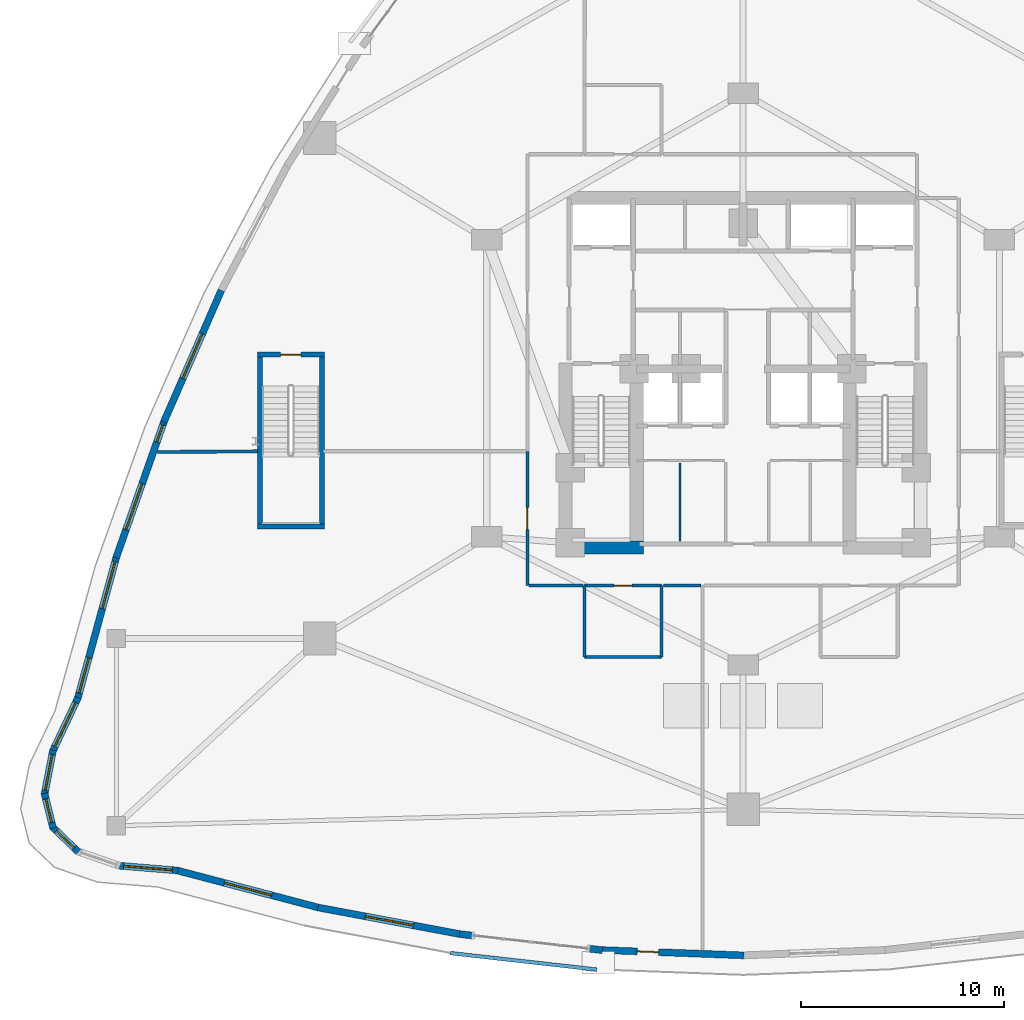
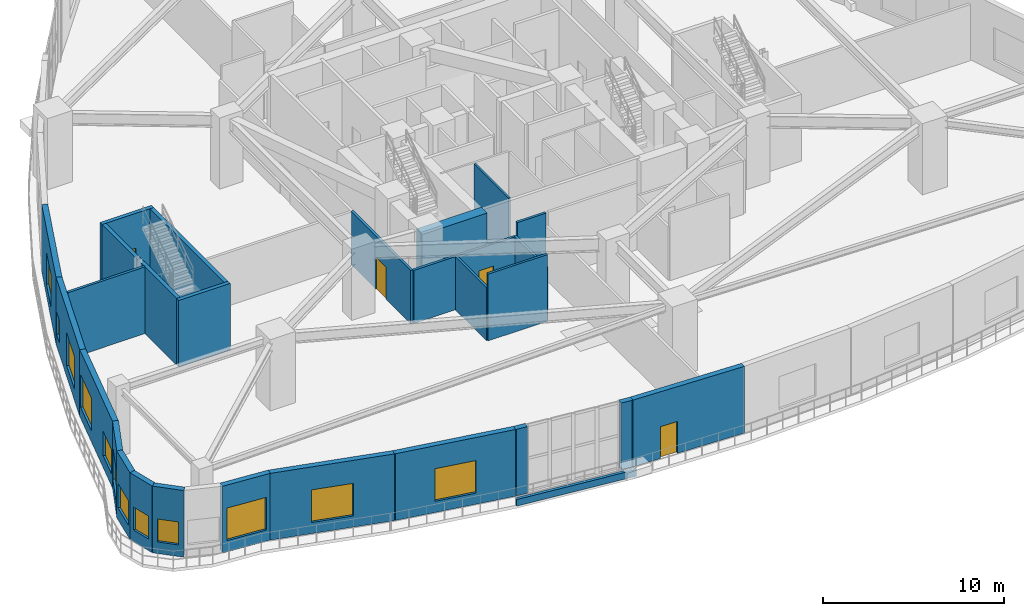
# One storey, part 15 of 23: 28 walls, 12 windows, 4 doors, 16 openings.
"""IFC4 building model written with IfcOpenShell, lengths in metres."""

from ifc_helpers import new_model, si_unit, direction, frame, frame_2d, origin, place, context, subcontext, project, spatial, rectangle, extrude, material, layer, layer_set, type_object, element, fill, save


model = new_model("IFC4")

# Units and contexts
model_context = context("Model", 3, precision=1e-05, world=origin(), true_north=direction((0.0, 1.0)))
body_context = subcontext(model_context, "Body", "Model", "MODEL_VIEW")
ifc_project = project(units=[si_unit("LENGTHUNIT", "METRE"), si_unit("AREAUNIT", "SQUARE_METRE"), si_unit("VOLUMEUNIT", "CUBIC_METRE"), si_unit("PLANEANGLEUNIT", "RADIAN"), si_unit("MASSUNIT", "GRAM", prefix="KILO")], contexts=[model_context])

# Site, building, storey
site_placement = place(None, origin())
site = spatial("IfcSite", under=ifc_project, at=site_placement, CompositionType="ELEMENT")
building_placement = place(site_placement, origin())
building = spatial("IfcBuilding", under=site, at=building_placement, Name="Miruveldt Soraemaru", CompositionType="ELEMENT")
storey_placement = place(building_placement, frame((0.0, 0.0, 9.60009765625)))
storey = spatial("IfcBuildingStorey", under=building, at=storey_placement, Name="L03", CompositionType="ELEMENT", Elevation=9.60009765625)

# Wall, opening, door
ifc_material_1 = material(Name="Concrete C50/60 (50 MPa)", Category="concrete")
ifc_layer_1 = layer(ifc_material_1, 0.419921875, Name="Concrete C50/60 (50 MPa)", Category="concrete")
ifc_layer_set_1 = layer_set([ifc_layer_1], Name="Concrete C50/60 (50 MPa)")
wall_type_1 = type_object("IfcWallType", Name="WALL-CW-420", PredefinedType="SHEAR", material=ifc_layer_set_1)
wall_1_placement = place(storey_placement, frame((20.1298828125, 44.75, 0.0), z_axis=(0.0, 0.0, 1.0), x_axis=(1.0, 0.0, 0.0)))
wall_1 = element("IfcWall", 1, at=wall_1_placement, inside=storey, type_object=wall_type_1, Name="L03 Protected Exit Stair ST-3 Structural Shaft Wall N", PredefinedType="SHEAR", context=body_context, shape_type="SweptSolid", body=[
    extrude(rectangle(XDim=3.2900390625, YDim=0.239990234375, at=frame_2d((1.64501953125, 0.0))), origin(), (0.0, 0.0, 1.0), 4.5),
])
opening_1_placement = place(wall_1_placement, frame((1.14501953125, 0.0, 0.0)))
opening_1 = element("IfcOpeningElement", 2, at=opening_1_placement, cuts=wall_1, Name="Opening FD1", PredefinedType="OPENING", context=body_context, shape_type="SweptSolid", body=[
    extrude(rectangle(XDim=1.0, YDim=2.14990234375, at=frame_2d((0.5, 1.074951171875))), frame((0.0, 0.1298828125, 0.0), z_axis=(0.0, -1.0, 0.0), x_axis=(1.0, 0.0, 0.0)), (0.0, 0.0, 1.0), 0.260009765625),
])
ifc_material_2 = material(Name="Anodised aluminium EN AW-6063 T6", Category="aluminium")
door_type_1 = type_object("IfcDoorType", Name="DOOR-FD1-1000", OperationType="NOTDEFINED", PredefinedType="DOOR", material=ifc_material_2)
door_1_placement = place(opening_1_placement, frame((1.0, 0.0, 0.0), z_axis=(0.0, 0.0, 1.0), x_axis=(-1.0, 0.0, 0.0)))
door_1 = element("IfcDoor", 3, at=door_1_placement, inside=storey, type_object=door_type_1, Name="L03 Protected Exit Stair ST-3 Fire Door", OperationType="SINGLE_SWING_LEFT", OverallHeight=2.14990234375, OverallWidth=1.0, PredefinedType="DOOR", context=body_context, shape_type="SweptSolid", body=[
    extrude(rectangle(XDim=1.0, YDim=2.14990234375, at=frame_2d((0.5, 1.074951171875))), frame((0.0, 0.02490234375, 0.0), z_axis=(0.0, -1.0, 0.0), x_axis=(1.0, 0.0, 0.0)), (0.0, 0.0, 1.0), 0.050048828125),
])
fill(opening_1, door_1)

# Walls
for number, where, z_axis, x_axis, name in (
    (4, (20.25, 36.35009765625, 0.0), (0.0, 0.0, 1.0), (0.0, 1.0, 0.0), "L03 Protected Exit Stair ST-3 Structural Shaft Wall W"),
    (5, (23.300048828125, 36.35009765625, 0.0), (0.0, 0.0, 1.0), (0.0, 1.0, 0.0), "L03 Protected Exit Stair ST-3 Structural Shaft Wall E"),
):
    element("IfcWall", number, at=place(storey_placement, frame(where, z_axis=z_axis, x_axis=x_axis)), inside=storey, type_object=wall_type_1, Name=name, PredefinedType="SHEAR", context=body_context, shape_type="SweptSolid", body=[
        extrude(rectangle(XDim=8.349853515625, YDim=0.239990234375, at=frame_2d((4.1748046875, 0.0))), origin(), (0.0, 0.0, 1.0), 4.5),
    ])
wall_2_placement = place(storey_placement, frame((20.1298828125, 36.300048828125, 0.0), z_axis=(0.0, 0.0, 1.0), x_axis=(1.0, 0.0, 0.0)))
element("IfcWall", 6, at=wall_2_placement, inside=storey, type_object=wall_type_1, Name="L03 Protected Exit Stair ST-3 Structural Shaft Wall S", PredefinedType="SHEAR", context=body_context, shape_type="SweptSolid", body=[
    extrude(rectangle(XDim=3.2900390625, YDim=0.239990234375, at=frame_2d((1.64501953125, 0.0))), origin(), (0.0, 0.0, 1.0), 4.5),
])
ifc_material_3 = material(Name="Concrete C80/95 (80 MPa)", Category="concrete")
ifc_layer_2 = layer(ifc_material_3, 0.64990234375, Name="Concrete C80/95 (80 MPa)", Category="concrete")
ifc_layer_set_2 = layer_set([ifc_layer_2], Name="Concrete C80/95 (80 MPa)")
wall_type_2 = type_object("IfcWallType", Name="WALL-CW-650", PredefinedType="SHEAR", material=ifc_layer_set_2)
wall_3_placement = place(storey_placement, frame((34.949951171875, 35.27490234375, 0.0), z_axis=(0.0, 0.0, 1.0), x_axis=(1.0, 0.0, 0.0)))
element("IfcWall", 7, at=wall_3_placement, inside=storey, type_object=wall_type_2, Name="L03 Central Core Shear Wall S1", PredefinedType="SHEAR", context=body_context, shape_type="SweptSolid", body=[
    extrude(rectangle(XDim=4.150146484375, YDim=0.64990234375, at=frame_2d((2.0751953125, 0.0))), origin(), (0.0, 0.0, 1.0), 4.5),
])

# Wall, opening, window
ifc_material_4 = material(Name="Precast concrete C45/55 (45 MPa)", Category="concrete")
ifc_layer_3 = layer(ifc_material_4, 0.340087890625, Name="Precast concrete C45/55 (45 MPa)", Category="concrete")
ifc_layer_set_3 = layer_set([ifc_layer_3], Name="Precast concrete C45/55 (45 MPa)")
wall_type_3 = type_object("IfcWallType", Name="WALL-EXT-PC340", PredefinedType="SOLIDWALL", material=ifc_layer_set_3)
wall_4_placement = place(storey_placement, frame((18.357421875, 47.916015625, 0.0), z_axis=(0.0, 0.0, 1.0), x_axis=(-0.400068444927, -0.916485264133, 0.0)))
wall_4 = element("IfcWall", 8, at=wall_4_placement, inside=storey, type_object=wall_type_3, Name="L03 Precast Concrete Facade Wall 12", PredefinedType="SOLIDWALL", context=body_context, shape_type="SweptSolid", body=[
    extrude(rectangle(XDim=7.0673828125, YDim=0.340087890625, at=frame_2d((3.53369140625, 0.0))), origin(), (0.0, 0.0, 1.0), 4.5),
])
opening_2_placement = place(wall_4_placement, frame((2.3330078125, 0.0, 0.75)))
opening_2 = element("IfcOpeningElement", 9, at=opening_2_placement, cuts=wall_4, Name="Opening WN-5", PredefinedType="OPENING", context=body_context, shape_type="SweptSolid", body=[
    extrude(rectangle(XDim=2.39990234375, YDim=2.199951171875, at=frame_2d((1.199951171875, 1.10009765625))), frame((0.0, 0.18017578125, 0.0), z_axis=(0.0, -1.0, 0.0), x_axis=(1.0, 0.0, 0.0)), (0.0, 0.0, 1.0), 0.360107421875),
])
ifc_material_5 = material(Name="Triple low-e insulated glazing", Category="glass")
window_type_1 = type_object("IfcWindowType", Name="WIN-PODM-2400x2200", PartitioningType="SINGLE_PANEL", PredefinedType="WINDOW", material=ifc_material_5)
window_1_placement = place(opening_2_placement, origin())
window_1 = element("IfcWindow", 10, at=window_1_placement, inside=storey, type_object=window_type_1, Name="L03 Punched Triple-Glazed Window 12.1", OverallHeight=2.199951171875, OverallWidth=2.39990234375, PartitioningType="SINGLE_PANEL", PredefinedType="WINDOW", context=body_context, shape_type="SweptSolid", body=[
    extrude(rectangle(XDim=2.39990234375, YDim=2.199951171875, at=frame_2d((1.199951171875, 1.10009765625))), frame((0.0, 0.030029296875, 0.0), z_axis=(0.0, -1.0, 0.0), x_axis=(1.0, 0.0, 0.0)), (0.0, 0.0, 1.0), 0.06005859375),
])
fill(opening_2, window_1)

# Wall, openings, windows
wall_5_placement = place(storey_placement, frame((15.5556640625, 41.50390625, 0.0), z_axis=(0.0, 0.0, 1.0), x_axis=(-0.331818926914, -0.943343097575, 0.0)))
wall_5 = element("IfcWall", 11, at=wall_5_placement, inside=storey, type_object=wall_type_3, Name="L03 Precast Concrete Facade Wall 13", PredefinedType="SOLIDWALL", context=body_context, shape_type="SweptSolid", body=[
    extrude(rectangle(XDim=7.144287109375, YDim=0.340087890625, at=frame_2d((3.572265625, 0.0))), origin(), (0.0, 0.0, 1.0), 4.5),
])
opening_3_placement = place(wall_5_placement, frame((0.212890625, 0.0, 0.780029296875)))
opening_3 = element("IfcOpeningElement", 12, at=opening_3_placement, cuts=wall_5, Name="Opening WN-7", PredefinedType="OPENING", context=body_context, shape_type="SweptSolid", body=[
    extrude(rectangle(XDim=0.89990234375, YDim=1.5, at=frame_2d((0.449951171875, 0.75))), frame((0.0, 0.18017578125, 0.0), z_axis=(0.0, -1.0, 0.0), x_axis=(1.0, 0.0, 0.0)), (0.0, 0.0, 1.0), 0.360107421875),
])
opening_4_placement = place(wall_5_placement, frame((3.27587890625, 0.0, 0.75)))
opening_4 = element("IfcOpeningElement", 13, at=opening_4_placement, cuts=wall_5, Name="Opening WN-5", PredefinedType="OPENING", context=body_context, shape_type="SweptSolid", body=[
    extrude(rectangle(XDim=2.39990234375, YDim=2.199951171875, at=frame_2d((1.199951171875, 1.10009765625))), frame((0.0, 0.18017578125, 0.0), z_axis=(0.0, -1.0, 0.0), x_axis=(1.0, 0.0, 0.0)), (0.0, 0.0, 1.0), 0.360107421875),
])
window_2_placement = place(opening_4_placement, origin())
window_2 = element("IfcWindow", 14, at=window_2_placement, inside=storey, type_object=window_type_1, Name="L03 Punched Triple-Glazed Window 13.2", OverallHeight=2.199951171875, OverallWidth=2.39990234375, PartitioningType="SINGLE_PANEL", PredefinedType="WINDOW", context=body_context, shape_type="SweptSolid", body=[
    extrude(rectangle(XDim=2.39990234375, YDim=2.199951171875, at=frame_2d((1.199951171875, 1.10009765625))), frame((0.0, 0.030029296875, 0.0), z_axis=(0.0, -1.0, 0.0), x_axis=(1.0, 0.0, 0.0)), (0.0, 0.0, 1.0), 0.06005859375),
])
fill(opening_4, window_2)
window_type_2 = type_object("IfcWindowType", Name="WIN-PUNCH-900x1500", PartitioningType="SINGLE_PANEL", PredefinedType="WINDOW", material=ifc_material_5)
window_3_placement = place(opening_3_placement, origin())
window_3 = element("IfcWindow", 15, at=window_3_placement, inside=storey, type_object=window_type_2, Name="L03 Punched Triple-Glazed Window 13.1", OverallHeight=1.5, OverallWidth=0.89990234375, PartitioningType="SINGLE_PANEL", PredefinedType="WINDOW", context=body_context, shape_type="SweptSolid", body=[
    extrude(rectangle(XDim=0.89990234375, YDim=1.5, at=frame_2d((0.449951171875, 0.75))), frame((0.0, 0.030029296875, 0.0), z_axis=(0.0, -1.0, 0.0), x_axis=(1.0, 0.0, 0.0)), (0.0, 0.0, 1.0), 0.06005859375),
])
fill(opening_3, window_3)

wall_6_placement = place(storey_placement, frame((13.205810546875, 34.831298828125, 0.0), z_axis=(0.0, 0.0, 1.0), x_axis=(-0.263709281195, -0.964602205581, 0.0)))
wall_6 = element("IfcWall", 16, at=wall_6_placement, inside=storey, type_object=wall_type_3, Name="L03 Precast Concrete Facade Wall 14", PredefinedType="SOLIDWALL", context=body_context, shape_type="SweptSolid", body=[
    extrude(rectangle(XDim=7.25927734375, YDim=0.340087890625, at=frame_2d((3.629638671875, 0.0))), origin(), (0.0, 0.0, 1.0), 4.5),
])
opening_5_placement = place(wall_6_placement, frame((0.260009765625, 0.0, 0.75)))
opening_5 = element("IfcOpeningElement", 17, at=opening_5_placement, cuts=wall_6, Name="Opening WN-5", PredefinedType="OPENING", context=body_context, shape_type="SweptSolid", body=[
    extrude(rectangle(XDim=2.39990234375, YDim=2.199951171875, at=frame_2d((1.199951171875, 1.10009765625))), frame((0.0, 0.18017578125, 0.0), z_axis=(0.0, -1.0, 0.0), x_axis=(1.0, 0.0, 0.0)), (0.0, 0.0, 1.0), 0.360107421875),
])
opening_6_placement = place(wall_6_placement, frame((5.158935546875, 0.0, 0.800048828125)))
opening_6 = element("IfcOpeningElement", 18, at=opening_6_placement, cuts=wall_6, Name="Opening WN-2", PredefinedType="OPENING", context=body_context, shape_type="SweptSolid", body=[
    extrude(rectangle(XDim=1.800048828125, YDim=1.64990234375, at=frame_2d((0.89990234375, 0.824951171875))), frame((0.0, 0.18017578125, 0.0), z_axis=(0.0, -1.0, 0.0), x_axis=(1.0, 0.0, 0.0)), (0.0, 0.0, 1.0), 0.360107421875),
])
window_4_placement = place(opening_5_placement, origin())
window_4 = element("IfcWindow", 19, at=window_4_placement, inside=storey, type_object=window_type_1, Name="L03 Punched Triple-Glazed Window 14.1", OverallHeight=2.199951171875, OverallWidth=2.39990234375, PartitioningType="SINGLE_PANEL", PredefinedType="WINDOW", context=body_context, shape_type="SweptSolid", body=[
    extrude(rectangle(XDim=2.39990234375, YDim=2.199951171875, at=frame_2d((1.199951171875, 1.10009765625))), frame((0.0, 0.030029296875, 0.0), z_axis=(0.0, -1.0, 0.0), x_axis=(1.0, 0.0, 0.0)), (0.0, 0.0, 1.0), 0.06005859375),
])
fill(opening_5, window_4)
window_type_3 = type_object("IfcWindowType", Name="WIN-PUNCH-1800x1650", PartitioningType="SINGLE_PANEL", PredefinedType="WINDOW", material=ifc_material_5)
window_5_placement = place(opening_6_placement, origin())
window_5 = element("IfcWindow", 20, at=window_5_placement, inside=storey, type_object=window_type_3, Name="L03 Punched Triple-Glazed Window 14.2", OverallHeight=1.64990234375, OverallWidth=1.800048828125, PartitioningType="SINGLE_PANEL", PredefinedType="WINDOW", context=body_context, shape_type="SweptSolid", body=[
    extrude(rectangle(XDim=1.800048828125, YDim=1.64990234375, at=frame_2d((0.89990234375, 0.824951171875))), frame((0.0, 0.030029296875, 0.0), z_axis=(0.0, -1.0, 0.0), x_axis=(1.0, 0.0, 0.0)), (0.0, 0.0, 1.0), 0.06005859375),
])
fill(opening_6, window_5)

# Wall, opening, window
wall_7_placement = place(storey_placement, frame((11.3154296875, 27.89453125, 0.0), z_axis=(0.0, 0.0, 1.0), x_axis=(-0.427100944195, -0.90420395015, 0.0)))
wall_7 = element("IfcWall", 21, at=wall_7_placement, inside=storey, type_object=wall_type_3, Name="L03 Precast Concrete Facade Wall 15", PredefinedType="SOLIDWALL", context=body_context, shape_type="SweptSolid", body=[
    extrude(rectangle(XDim=2.9296875, YDim=0.340087890625, at=frame_2d((1.46484375, 0.0))), origin(), (0.0, 0.0, 1.0), 4.5),
])
opening_7_placement = place(wall_7_placement, frame((0.264892578125, 0.0, 0.75)))
opening_7 = element("IfcOpeningElement", 22, at=opening_7_placement, cuts=wall_7, Name="Opening WN-5", PredefinedType="OPENING", context=body_context, shape_type="SweptSolid", body=[
    extrude(rectangle(XDim=2.39990234375, YDim=2.199951171875, at=frame_2d((1.199951171875, 1.10009765625))), frame((0.0, 0.18017578125, 0.0), z_axis=(0.0, -1.0, 0.0), x_axis=(1.0, 0.0, 0.0)), (0.0, 0.0, 1.0), 0.360107421875),
])
window_6_placement = place(opening_7_placement, origin())
window_6 = element("IfcWindow", 23, at=window_6_placement, inside=storey, type_object=window_type_1, Name="L03 Punched Triple-Glazed Window 15.1", OverallHeight=2.199951171875, OverallWidth=2.39990234375, PartitioningType="SINGLE_PANEL", PredefinedType="WINDOW", context=body_context, shape_type="SweptSolid", body=[
    extrude(rectangle(XDim=2.39990234375, YDim=2.199951171875, at=frame_2d((1.199951171875, 1.10009765625))), frame((0.0, 0.030029296875, 0.0), z_axis=(0.0, -1.0, 0.0), x_axis=(1.0, 0.0, 0.0)), (0.0, 0.0, 1.0), 0.06005859375),
])
fill(opening_7, window_6)

wall_8_placement = place(storey_placement, frame((10.085693359375, 25.3115234375, 0.0), z_axis=(0.0, 0.0, 1.0), x_axis=(-0.188977643446, -0.981981389985, 0.0)))
wall_8 = element("IfcWall", 24, at=wall_8_placement, inside=storey, type_object=wall_type_3, Name="L03 Precast Concrete Facade Wall 16", PredefinedType="SOLIDWALL", context=body_context, shape_type="SweptSolid", body=[
    extrude(rectangle(XDim=2.224609375, YDim=0.340087890625, at=frame_2d((1.1123046875, 0.0))), origin(), (0.0, 0.0, 1.0), 4.5),
])
opening_8_placement = place(wall_8_placement, frame((0.212890625, 0.0, 0.800048828125)))
opening_8 = element("IfcOpeningElement", 25, at=opening_8_placement, cuts=wall_8, Name="Opening WN-2", PredefinedType="OPENING", context=body_context, shape_type="SweptSolid", body=[
    extrude(rectangle(XDim=1.800048828125, YDim=1.64990234375, at=frame_2d((0.89990234375, 0.824951171875))), frame((0.0, 0.18017578125, 0.0), z_axis=(0.0, -1.0, 0.0), x_axis=(1.0, 0.0, 0.0)), (0.0, 0.0, 1.0), 0.360107421875),
])
window_7_placement = place(opening_8_placement, origin())
window_7 = element("IfcWindow", 26, at=window_7_placement, inside=storey, type_object=window_type_3, Name="L03 Punched Triple-Glazed Window 16.1", OverallHeight=1.64990234375, OverallWidth=1.800048828125, PartitioningType="SINGLE_PANEL", PredefinedType="WINDOW", context=body_context, shape_type="SweptSolid", body=[
    extrude(rectangle(XDim=1.800048828125, YDim=1.64990234375, at=frame_2d((0.89990234375, 0.824951171875))), frame((0.0, 0.030029296875, 0.0), z_axis=(0.0, -1.0, 0.0), x_axis=(1.0, 0.0, 0.0)), (0.0, 0.0, 1.0), 0.06005859375),
])
fill(opening_8, window_7)

wall_9_placement = place(storey_placement, frame((9.66357421875, 23.1953125, 0.0), z_axis=(0.0, 0.0, 1.0), x_axis=(0.240094214254, -0.970749590925, 0.0)))
wall_9 = element("IfcWall", 27, at=wall_9_placement, inside=storey, type_object=wall_type_3, Name="L03 Precast Concrete Facade Wall 17", PredefinedType="SOLIDWALL", context=body_context, shape_type="SweptSolid", body=[
    extrude(rectangle(XDim=1.76513671875, YDim=0.340087890625, at=frame_2d((0.882568359375, 0.0))), origin(), (0.0, 0.0, 1.0), 4.5),
])
opening_9_placement = place(wall_9_placement, frame((0.281982421875, 0.0, 0.780029296875)))
opening_9 = element("IfcOpeningElement", 28, at=opening_9_placement, cuts=wall_9, Name="Opening WN-4", PredefinedType="OPENING", context=body_context, shape_type="SweptSolid", body=[
    extrude(rectangle(XDim=1.199951171875, YDim=1.550048828125, at=frame_2d((0.60009765625, 0.77490234375))), frame((0.0, 0.18017578125, 0.0), z_axis=(0.0, -1.0, 0.0), x_axis=(1.0, 0.0, 0.0)), (0.0, 0.0, 1.0), 0.360107421875),
])
window_type_4 = type_object("IfcWindowType", Name="WIN-PUNCH-1200x1550", PartitioningType="SINGLE_PANEL", PredefinedType="WINDOW", material=ifc_material_5)
window_8_placement = place(opening_9_placement, origin())
window_8 = element("IfcWindow", 29, at=window_8_placement, inside=storey, type_object=window_type_4, Name="L03 Punched Triple-Glazed Window 17.1", OverallHeight=1.550048828125, OverallWidth=1.199951171875, PartitioningType="SINGLE_PANEL", PredefinedType="WINDOW", context=body_context, shape_type="SweptSolid", body=[
    extrude(rectangle(XDim=1.199951171875, YDim=1.550048828125, at=frame_2d((0.60009765625, 0.77490234375))), frame((0.0, 0.030029296875, 0.0), z_axis=(0.0, -1.0, 0.0), x_axis=(1.0, 0.0, 0.0)), (0.0, 0.0, 1.0), 0.06005859375),
])
fill(opening_9, window_8)

wall_10_placement = place(storey_placement, frame((10.053955078125, 21.5400390625, 0.0), z_axis=(0.0, 0.0, 1.0), x_axis=(0.720463529959, -0.693492827648, 0.0)))
wall_10 = element("IfcWall", 30, at=wall_10_placement, inside=storey, type_object=wall_type_3, Name="L03 Precast Concrete Facade Wall 18", PredefinedType="SOLIDWALL", context=body_context, shape_type="SweptSolid", body=[
    extrude(rectangle(XDim=1.76513671875, YDim=0.340087890625, at=frame_2d((0.882568359375, 0.0))), origin(), (0.0, 0.0, 1.0), 4.5),
])
opening_10_placement = place(wall_10_placement, frame((0.281982421875, 0.0, 0.780029296875)))
opening_10 = element("IfcOpeningElement", 31, at=opening_10_placement, cuts=wall_10, Name="Opening WN-4", PredefinedType="OPENING", context=body_context, shape_type="SweptSolid", body=[
    extrude(rectangle(XDim=1.199951171875, YDim=1.550048828125, at=frame_2d((0.60009765625, 0.77490234375))), frame((0.0, 0.18017578125, 0.0), z_axis=(0.0, -1.0, 0.0), x_axis=(1.0, 0.0, 0.0)), (0.0, 0.0, 1.0), 0.360107421875),
])
window_9_placement = place(opening_10_placement, origin())
window_9 = element("IfcWindow", 32, at=window_9_placement, inside=storey, type_object=window_type_4, Name="L03 Punched Triple-Glazed Window 18.1", OverallHeight=1.550048828125, OverallWidth=1.199951171875, PartitioningType="SINGLE_PANEL", PredefinedType="WINDOW", context=body_context, shape_type="SweptSolid", body=[
    extrude(rectangle(XDim=1.199951171875, YDim=1.550048828125, at=frame_2d((0.60009765625, 0.77490234375))), frame((0.0, 0.030029296875, 0.0), z_axis=(0.0, -1.0, 0.0), x_axis=(1.0, 0.0, 0.0)), (0.0, 0.0, 1.0), 0.06005859375),
])
fill(opening_10, window_9)

wall_11_placement = place(storey_placement, frame((13.301513671875, 19.637939453125, 0.0), z_axis=(0.0, 0.0, 1.0), x_axis=(0.996619489458, -0.082155908085, 0.0)))
wall_11 = element("IfcWall", 33, at=wall_11_placement, inside=storey, type_object=wall_type_3, Name="L03 Precast Concrete Facade Wall 20", PredefinedType="SOLIDWALL", context=body_context, shape_type="SweptSolid", body=[
    extrude(rectangle(XDim=2.93017578125, YDim=0.340087890625, at=frame_2d((1.465087890625, 0.0))), origin(), (0.0, 0.0, 1.0), 4.5),
])
opening_11_placement = place(wall_11_placement, frame((0.264892578125, 0.0, 0.75)))
opening_11 = element("IfcOpeningElement", 34, at=opening_11_placement, cuts=wall_11, Name="Opening WN-5", PredefinedType="OPENING", context=body_context, shape_type="SweptSolid", body=[
    extrude(rectangle(XDim=2.39990234375, YDim=2.199951171875, at=frame_2d((1.199951171875, 1.10009765625))), frame((0.0, 0.18017578125, 0.0), z_axis=(0.0, -1.0, 0.0), x_axis=(1.0, 0.0, 0.0)), (0.0, 0.0, 1.0), 0.360107421875),
])
window_10_placement = place(opening_11_placement, origin())
window_10 = element("IfcWindow", 35, at=window_10_placement, inside=storey, type_object=window_type_1, Name="L03 Punched Triple-Glazed Window 20.1", OverallHeight=2.199951171875, OverallWidth=2.39990234375, PartitioningType="SINGLE_PANEL", PredefinedType="WINDOW", context=body_context, shape_type="SweptSolid", body=[
    extrude(rectangle(XDim=2.39990234375, YDim=2.199951171875, at=frame_2d((1.199951171875, 1.10009765625))), frame((0.0, 0.030029296875, 0.0), z_axis=(0.0, -1.0, 0.0), x_axis=(1.0, 0.0, 0.0)), (0.0, 0.0, 1.0), 0.06005859375),
])
fill(opening_11, window_10)

wall_12_placement = place(storey_placement, frame((16.15283203125, 19.408935546875, 0.0), z_axis=(0.0, 0.0, 1.0), x_axis=(0.967230758888, -0.253898915044, 0.0)))
wall_12 = element("IfcWall", 36, at=wall_12_placement, inside=storey, type_object=wall_type_3, Name="L03 Precast Concrete Facade Wall 21", PredefinedType="SOLIDWALL", context=body_context, shape_type="SweptSolid", body=[
    extrude(rectangle(XDim=7.2587890625, YDim=0.340087890625, at=frame_2d((3.62939453125, 0.0))), origin(), (0.0, 0.0, 1.0), 4.5),
])
opening_12_placement = place(wall_12_placement, frame((2.428955078125, 0.0, 0.75)))
opening_12 = element("IfcOpeningElement", 37, at=opening_12_placement, cuts=wall_12, Name="Opening WN-5", PredefinedType="OPENING", context=body_context, shape_type="SweptSolid", body=[
    extrude(rectangle(XDim=2.39990234375, YDim=2.199951171875, at=frame_2d((1.199951171875, 1.10009765625))), frame((0.0, 0.18017578125, 0.0), z_axis=(0.0, -1.0, 0.0), x_axis=(1.0, 0.0, 0.0)), (0.0, 0.0, 1.0), 0.360107421875),
])
window_11_placement = place(opening_12_placement, origin())
window_11 = element("IfcWindow", 38, at=window_11_placement, inside=storey, type_object=window_type_1, Name="L03 Punched Triple-Glazed Window 21.1", OverallHeight=2.199951171875, OverallWidth=2.39990234375, PartitioningType="SINGLE_PANEL", PredefinedType="WINDOW", context=body_context, shape_type="SweptSolid", body=[
    extrude(rectangle(XDim=2.39990234375, YDim=2.199951171875, at=frame_2d((1.199951171875, 1.10009765625))), frame((0.0, 0.030029296875, 0.0), z_axis=(0.0, -1.0, 0.0), x_axis=(1.0, 0.0, 0.0)), (0.0, 0.0, 1.0), 0.06005859375),
])
fill(opening_12, window_11)

wall_13_placement = place(storey_placement, frame((23.105712890625, 17.581298828125, 0.0), z_axis=(0.0, 0.0, 1.0), x_axis=(0.98286522281, -0.184325673174, 0.0)))
wall_13 = element("IfcWall", 39, at=wall_13_placement, inside=storey, type_object=wall_type_3, Name="L03 Precast Concrete Facade Wall 22", PredefinedType="SOLIDWALL", context=body_context, shape_type="SweptSolid", body=[
    extrude(rectangle(XDim=7.144287109375, YDim=0.340087890625, at=frame_2d((3.572265625, 0.0))), origin(), (0.0, 0.0, 1.0), 4.5),
])
opening_13_placement = place(wall_13_placement, frame((2.3720703125, 0.0, 0.75)))
opening_13 = element("IfcOpeningElement", 40, at=opening_13_placement, cuts=wall_13, Name="Opening WN-5", PredefinedType="OPENING", context=body_context, shape_type="SweptSolid", body=[
    extrude(rectangle(XDim=2.39990234375, YDim=2.199951171875, at=frame_2d((1.199951171875, 1.10009765625))), frame((0.0, 0.18017578125, 0.0), z_axis=(0.0, -1.0, 0.0), x_axis=(1.0, 0.0, 0.0)), (0.0, 0.0, 1.0), 0.360107421875),
])
window_12_placement = place(opening_13_placement, origin())
window_12 = element("IfcWindow", 41, at=window_12_placement, inside=storey, type_object=window_type_1, Name="L03 Punched Triple-Glazed Window 22.1", OverallHeight=2.199951171875, OverallWidth=2.39990234375, PartitioningType="SINGLE_PANEL", PredefinedType="WINDOW", context=body_context, shape_type="SweptSolid", body=[
    extrude(rectangle(XDim=2.39990234375, YDim=2.199951171875, at=frame_2d((1.199951171875, 1.10009765625))), frame((0.0, 0.030029296875, 0.0), z_axis=(0.0, -1.0, 0.0), x_axis=(1.0, 0.0, 0.0)), (0.0, 0.0, 1.0), 0.06005859375),
])
fill(opening_13, window_12)

# Walls
wall_14_placement = place(storey_placement, frame((30.05859375, 16.27490234375, 0.0), z_axis=(0.0, 0.0, 1.0), x_axis=(0.993726507007, -0.11183751281, 0.0)))
element("IfcWall", 42, at=wall_14_placement, inside=storey, type_object=wall_type_3, Name="L03 Precast Pier Left 23", PredefinedType="SOLIDWALL", context=body_context, shape_type="SweptSolid", body=[
    extrude(rectangle(XDim=0.705078125, YDim=0.340087890625, at=frame_2d((0.3525390625, 0.0))), origin(), (0.0, 0.0, 1.0), 4.5),
])
wall_15_placement = place(storey_placement, frame((36.380615234375, 15.563720703125, 0.0), z_axis=(0.0, 0.0, 1.0), x_axis=(0.993730835492, -0.111799045581, 0.0)))
element("IfcWall", 43, at=wall_15_placement, inside=storey, type_object=wall_type_3, Name="L03 Precast Pier Right 23", PredefinedType="SOLIDWALL", context=body_context, shape_type="SweptSolid", body=[
    extrude(rectangle(XDim=0.705322265625, YDim=0.340087890625, at=frame_2d((0.3525390625, 0.0))), origin(), (0.0, 0.0, 1.0), 4.5),
])

# Wall, opening, door
wall_16_placement = place(storey_placement, frame((37.01171875, 15.489990234375, 0.0), z_axis=(0.0, 0.0, 1.0), x_axis=(0.999298607245, -0.037447210297, 0.0)))
wall_16 = element("IfcWall", 44, at=wall_16_placement, inside=storey, type_object=wall_type_3, Name="L03 Precast Concrete Facade Wall 24", PredefinedType="SOLIDWALL", context=body_context, shape_type="SweptSolid", body=[
    extrude(rectangle(XDim=7.028076171875, YDim=0.340087890625, at=frame_2d((3.51416015625, 0.0))), origin(), (0.0, 0.0, 1.0), 4.5),
])
opening_14_placement = place(wall_16_placement, frame((1.7900390625, 0.0, 0.0)))
opening_14 = element("IfcOpeningElement", 45, at=opening_14_placement, cuts=wall_16, Name="Opening TD-1", PredefinedType="OPENING", context=body_context, shape_type="SweptSolid", body=[
    extrude(rectangle(XDim=1.050048828125, YDim=2.14990234375, at=frame_2d((0.52490234375, 1.074951171875))), frame((0.0, 0.18017578125, 0.0), z_axis=(0.0, -1.0, 0.0), x_axis=(1.0, 0.0, 0.0)), (0.0, 0.0, 1.0), 0.360107421875),
])
door_type_2 = type_object("IfcDoorType", Name="DOOR-TER-1050", OperationType="NOTDEFINED", PredefinedType="DOOR", material=ifc_material_2)
door_2_placement = place(opening_14_placement, frame((1.050048828125, 0.0, 0.0), z_axis=(0.0, 0.0, 1.0), x_axis=(-1.0, 0.0, 0.0)))
door_2 = element("IfcDoor", 46, at=door_2_placement, inside=storey, type_object=door_type_2, Name="L03 Terrace Access Glazed Door 24", OperationType="SINGLE_SWING_LEFT", OverallHeight=2.14990234375, OverallWidth=1.050048828125, PredefinedType="DOOR", context=body_context, shape_type="SweptSolid", body=[
    extrude(rectangle(XDim=1.050048828125, YDim=2.14990234375, at=frame_2d((0.52490234375, 1.074951171875))), frame((0.0, 0.02490234375, 0.0), z_axis=(0.0, -1.0, 0.0), x_axis=(1.0, 0.0, 0.0)), (0.0, 0.0, 1.0), 0.050048828125),
])
fill(opening_14, door_2)

# Wall
ifc_material_6 = material(Name="Gypsum plasterboard lining", Category="gypsum")
ifc_layer_4 = layer(ifc_material_6, 0.1201171875, Name="Gypsum plasterboard lining", Category="gypsum")
ifc_layer_set_4 = layer_set([ifc_layer_4], Name="Gypsum plasterboard lining")
wall_type_4 = type_object("IfcWallType", Name="WALL-INT-P120", PredefinedType="PARTITIONING", material=ifc_layer_set_4)
wall_17_placement = place(storey_placement, frame((40.89990234375, 35.60009765625, 0.0), z_axis=(0.0, 0.0, 1.0), x_axis=(0.0, 1.0, 0.0)))
element("IfcWall", 47, at=wall_17_placement, inside=storey, type_object=wall_type_4, Name="L03 Core Compartment Wall CW2-V", PredefinedType="PARTITIONING", context=body_context, shape_type="SweptSolid", body=[
    extrude(rectangle(XDim=3.81982421875, YDim=0.1201171875, at=frame_2d((1.909912109375, 0.0))), origin(), (0.0, 0.0, 1.0), 4.5),
])

# Wall, opening, door
ifc_layer_5 = layer(ifc_material_6, 0.14990234375, Name="Gypsum plasterboard lining", Category="gypsum")
ifc_layer_set_5 = layer_set([ifc_layer_5], Name="Gypsum plasterboard lining")
wall_type_5 = type_object("IfcWallType", Name="WALL-INT-PLUMB", PredefinedType="PLUMBINGWALL", material=ifc_layer_set_5)
wall_18_placement = place(storey_placement, frame((36.199951171875, 33.39990234375, 0.0), z_axis=(0.0, 0.0, 1.0), x_axis=(1.0, 0.0, 0.0)))
wall_18 = element("IfcWall", 48, at=wall_18_placement, inside=storey, type_object=wall_type_5, Name="L03 Partition Wall 2", PredefinedType="PLUMBINGWALL", context=body_context, shape_type="SweptSolid", body=[
    extrude(rectangle(XDim=3.800048828125, YDim=0.14990234375, at=frame_2d((1.89990234375, 0.0))), origin(), (0.0, 0.0, 1.0), 3.587890625),
])
opening_15_placement = place(wall_18_placement, frame((1.449951171875, 0.0, 0.0)))
opening_15 = element("IfcOpeningElement", 49, at=opening_15_placement, cuts=wall_18, Name="Opening D3", PredefinedType="OPENING", context=body_context, shape_type="SweptSolid", body=[
    extrude(rectangle(XDim=0.89990234375, YDim=2.10009765625, at=frame_2d((0.449951171875, 1.050048828125))), frame((0.0, 0.0849609375, 0.0), z_axis=(0.0, -1.0, 0.0), x_axis=(1.0, 0.0, 0.0)), (0.0, 0.0, 1.0), 0.169921875),
])
door_type_3 = type_object("IfcDoorType", Name="DOOR-INT-900", OperationType="NOTDEFINED", PredefinedType="DOOR", material=ifc_material_2)
door_3_placement = place(opening_15_placement, origin())
door_3 = element("IfcDoor", 50, at=door_3_placement, inside=storey, type_object=door_type_3, Name="L03 Public Female Restroom Door", OperationType="SINGLE_SWING_RIGHT", OverallHeight=2.10009765625, OverallWidth=0.89990234375, PredefinedType="DOOR", context=body_context, shape_type="SweptSolid", body=[
    extrude(rectangle(XDim=0.89990234375, YDim=2.10009765625, at=frame_2d((0.449951171875, 1.050048828125))), frame((0.0, 0.02490234375, 0.0), z_axis=(0.0, -1.0, 0.0), x_axis=(1.0, 0.0, 0.0)), (0.0, 0.0, 1.0), 0.050048828125),
])
fill(opening_15, door_3)

# Walls
wall_19_placement = place(storey_placement, frame((36.199951171875, 29.89990234375, 0.0), z_axis=(0.0, 0.0, 1.0), x_axis=(1.0, 0.0, 0.0)))
element("IfcWall", 51, at=wall_19_placement, inside=storey, type_object=wall_type_5, Name="L03 Partition Wall 20", PredefinedType="PLUMBINGWALL", context=body_context, shape_type="SweptSolid", body=[
    extrude(rectangle(XDim=3.800048828125, YDim=0.14990234375, at=frame_2d((1.89990234375, 0.0))), origin(), (0.0, 0.0, 1.0), 4.5),
])
for number, where, z_axis, x_axis, name in (
    (52, (36.199951171875, 33.39990234375, 0.0), (0.0, 0.0, 1.0), (0.0, -1.0, 0.0), "L03 Partition Wall 19"),
    (53, (40.0, 29.89990234375, 0.0), (0.0, 0.0, 1.0), (0.0, 1.0, 0.0), "L03 Partition Wall 21"),
):
    element("IfcWall", number, at=place(storey_placement, frame(where, z_axis=z_axis, x_axis=x_axis)), inside=storey, type_object=wall_type_5, Name=name, PredefinedType="PLUMBINGWALL", context=body_context, shape_type="SweptSolid", body=[
        extrude(rectangle(XDim=3.5, YDim=0.14990234375, at=frame_2d((1.75, 0.0))), origin(), (0.0, 0.0, 1.0), 3.587890625),
    ])

# Wall, opening, door
ifc_material_7 = material(Name="Concrete C40/50 (40 MPa)", Category="concrete")
ifc_layer_6 = layer(ifc_material_7, 0.159912109375, Name="Concrete C40/50 (40 MPa)", Category="concrete")
ifc_layer_set_6 = layer_set([ifc_layer_6], Name="Concrete C40/50 (40 MPa)")
wall_type_6 = type_object("IfcWallType", Name="WALL-INT-RC160", PredefinedType="SOLIDWALL", material=ifc_layer_set_6)
wall_20_placement = place(storey_placement, frame((33.39990234375, 40.0, 0.0), z_axis=(0.0, 0.0, 1.0), x_axis=(0.0, -1.0, 0.0)))
wall_20 = element("IfcWall", 54, at=wall_20_placement, inside=storey, type_object=wall_type_6, Name="L03 Partition Wall 4", PredefinedType="SOLIDWALL", context=body_context, shape_type="SweptSolid", body=[
    extrude(rectangle(XDim=6.60009765625, YDim=0.159912109375, at=frame_2d((3.300048828125, 0.0))), origin(), (0.0, 0.0, 1.0), 3.587890625),
])
opening_16_placement = place(wall_20_placement, frame((2.75, 0.0, 0.0)))
opening_16 = element("IfcOpeningElement", 55, at=opening_16_placement, cuts=wall_20, Name="Opening FD1A", PredefinedType="OPENING", context=body_context, shape_type="SweptSolid", body=[
    extrude(rectangle(XDim=1.10009765625, YDim=2.14990234375, at=frame_2d((0.550048828125, 1.074951171875))), frame((0.0, 0.08984375, 0.0), z_axis=(0.0, -1.0, 0.0), x_axis=(1.0, 0.0, 0.0)), (0.0, 0.0, 1.0), 0.179931640625),
])
door_type_4 = type_object("IfcDoorType", Name="DOOR-FD1-1100", OperationType="NOTDEFINED", PredefinedType="DOOR", material=ifc_material_2)
door_4_placement = place(opening_16_placement, origin())
door_4 = element("IfcDoor", 56, at=door_4_placement, inside=storey, type_object=door_type_4, Name="L03 Daycare Playroom and Nursery Hall Entrance Door", OperationType="SINGLE_SWING_RIGHT", OverallHeight=2.14990234375, OverallWidth=1.10009765625, PredefinedType="DOOR", context=body_context, shape_type="SweptSolid", body=[
    extrude(rectangle(XDim=1.10009765625, YDim=2.14990234375, at=frame_2d((0.550048828125, 1.074951171875))), frame((0.0, 0.02490234375, 0.0), z_axis=(0.0, -1.0, 0.0), x_axis=(1.0, 0.0, 0.0)), (0.0, 0.0, 1.0), 0.050048828125),
])
fill(opening_16, door_4)

# Walls
wall_21_placement = place(storey_placement, frame((20.169921875, 39.9990234375, 0.0), z_axis=(0.0, 0.0, 1.0), x_axis=(-0.999976595038, -0.006841737877, 0.0)))
element("IfcWall", 57, at=wall_21_placement, inside=storey, type_object=wall_type_6, Name="L03 Partition Wall 27", PredefinedType="SOLIDWALL", context=body_context, shape_type="SweptSolid", body=[
    extrude(rectangle(XDim=4.9599609375, YDim=0.159912109375, at=frame_2d((2.47998046875, 0.0))), origin(), (0.0, 0.0, 1.0), 4.5),
])
wall_22_placement = place(storey_placement, frame((33.47998046875, 33.39990234375, 0.0), z_axis=(0.0, 0.0, 1.0), x_axis=(1.0, 0.0, 0.0)))
element("IfcWall", 58, at=wall_22_placement, inside=storey, type_object=wall_type_6, Name="L03 Partition Wall 5", PredefinedType="SOLIDWALL", context=body_context, shape_type="SweptSolid", body=[
    extrude(rectangle(XDim=2.64013671875, YDim=0.159912109375, at=frame_2d((1.320068359375, 0.0))), origin(), (0.0, 0.0, 1.0), 3.587890625),
])
wall_23_placement = place(storey_placement, frame((40.080078125, 33.39990234375, 0.0), z_axis=(0.0, 0.0, 1.0), x_axis=(1.0, 0.0, 0.0)))
element("IfcWall", 59, at=wall_23_placement, inside=storey, type_object=wall_type_6, Name="L03 Partition Wall 6", PredefinedType="SOLIDWALL", context=body_context, shape_type="SweptSolid", body=[
    extrude(rectangle(XDim=1.83984375, YDim=0.159912109375, at=frame_2d((0.919921875, 0.0))), origin(), (0.0, 0.0, 1.0), 4.5),
])
ifc_layer_7 = layer(ifc_material_4, 0.179931640625, Name="Precast concrete C45/55 (45 MPa)", Category="concrete")
ifc_layer_set_7 = layer_set([ifc_layer_7], Name="Precast concrete C45/55 (45 MPa)")
wall_type_7 = type_object("IfcWallType", Name="WALL-PAR-180", PredefinedType="PARAPET", material=ifc_layer_set_7)
wall_24_placement = place(storey_placement, frame((29.61279296875, 15.33740234375, 0.0), z_axis=(0.0, 0.0, 1.0), x_axis=(0.993730613627, -0.11180101762, 0.0)))
element("IfcWall", 60, at=wall_24_placement, inside=storey, type_object=wall_type_7, Name="L03 Terrace Upstand Parapet 22", PredefinedType="PARAPET", context=body_context, shape_type="SweptSolid", body=[
    extrude(rectangle(XDim=7.239013671875, YDim=0.179931640625, at=frame_2d((3.61962890625, 0.0))), origin(), (0.0, 0.0, 1.0), 0.449951171875),
])

save(model, "model.ifc")
